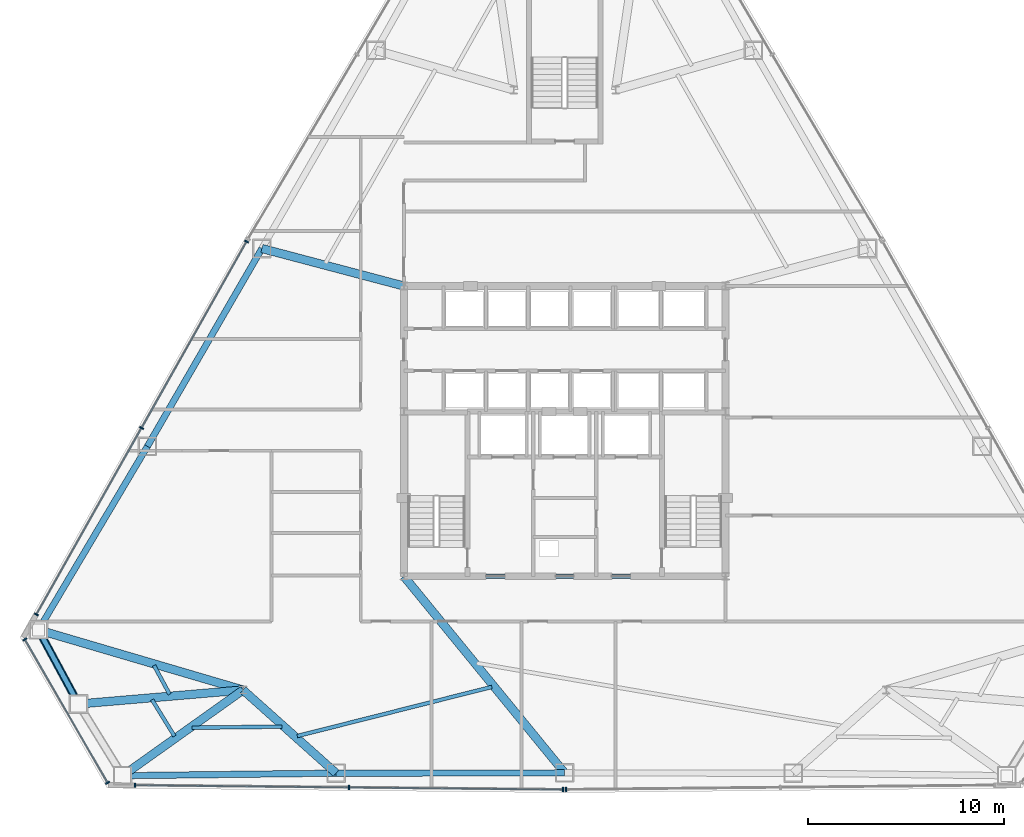
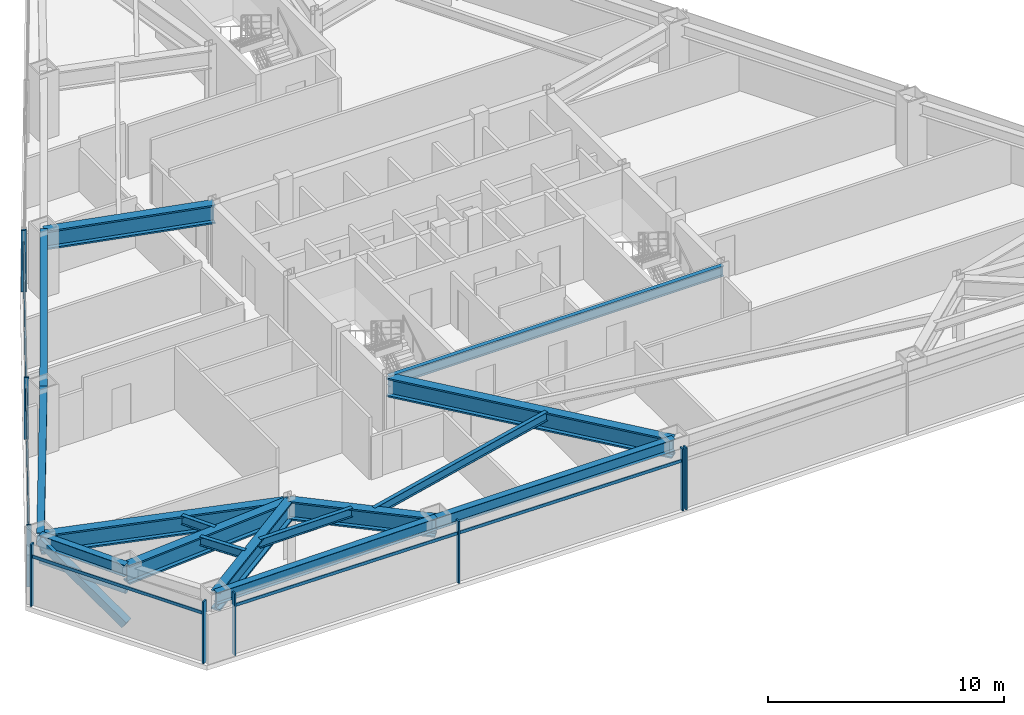
# One storey, part 4 of 13: 16 beams, 14 members, 4 elements without a shape of their own.
"""IFC4 building model written with IfcOpenShell, lengths in metres."""

from ifc_helpers import new_model, si_unit, direction, frame, origin, origin_2d, place, context, subcontext, project, spatial, rectangle, hollow_rectangle, hollow_circle, i_section, extrude, source, transform, mapped, material, layer, layer_set, material_profile, profile_set, type_object, type_shapes, element, aggregate, save


model = new_model("IFC4")

# Units and contexts
model_context = context("Model", 3, precision=1e-05, world=origin(), true_north=direction((0.0, 1.0)))
body_context = subcontext(model_context, "Body", "Model", "MODEL_VIEW")
ifc_project = project(units=[si_unit("LENGTHUNIT", "METRE"), si_unit("AREAUNIT", "SQUARE_METRE"), si_unit("VOLUMEUNIT", "CUBIC_METRE"), si_unit("PLANEANGLEUNIT", "RADIAN"), si_unit("MASSUNIT", "GRAM", prefix="KILO")], contexts=[model_context])

# Site, building, storey
site_placement = place(None, origin())
site = spatial("IfcSite", under=ifc_project, at=site_placement, CompositionType="ELEMENT")
building_placement = place(site_placement, origin())
building = spatial("IfcBuilding", under=site, at=building_placement, Name="Varakhsha Concourse Tower", CompositionType="ELEMENT")
storey_placement = place(building_placement, frame((0.0, 0.0, 116.0)))
storey = spatial("IfcBuildingStorey", under=building, at=storey_placement, Name="L33", CompositionType="ELEMENT", Elevation=116.0)

# Beams
ifc_material_1 = material(Name="Structural Steel ASTM A992 Grade 50", Category="steel")
ifc_material_profile_1 = material_profile(ifc_material_1, i_section(OverallWidth=0.19091796875, OverallDepth=0.45703125, WebThickness=0.009033203125, FlangeThickness=0.013916015625, at=origin_2d()), Name="W18X50")
ifc_profile_set_1 = profile_set([ifc_material_profile_1], Name="Structural Steel ASTM A992 Grade 50")
beam_type_1 = type_object("IfcBeamType", Name="BM-JST-W18X50", PredefinedType="JOIST", material=ifc_profile_set_1)
beam_1_placement = place(storey_placement, frame((19.0625, 11.851806640625, 2.9814453125), z_axis=(0.47547726622, -0.879728008709, 0.0), x_axis=(0.879728008709, 0.47547726622, 0.0)))
element("IfcBeam", 1, at=beam_1_placement, inside=storey, type_object=beam_type_1, Name="BM-TJST-L33-07", PredefinedType="JOIST", context=body_context, shape_type="SweptSolid", body=[
    extrude(i_section(OverallWidth=0.19091796875, OverallDepth=0.45703125, WebThickness=0.009033203125, FlangeThickness=0.013916015625, at=origin_2d()), origin(), (0.0, 0.0, 1.0), 1.669189453125),
])
beam_2_placement = place(storey_placement, frame((18.95947265625, 10.107421875, 2.9814453125), z_axis=(0.524159780264, -0.851619941496, 0.0), x_axis=(0.851619941496, 0.524159780264, 0.0)))
element("IfcBeam", 2, at=beam_2_placement, inside=storey, type_object=beam_type_1, Name="BM-TJST-L33-08", PredefinedType="JOIST", context=body_context, shape_type="SweptSolid", body=[
    extrude(i_section(OverallWidth=0.19091796875, OverallDepth=0.45703125, WebThickness=0.009033203125, FlangeThickness=0.013916015625, at=origin_2d()), origin(), (0.0, 0.0, 1.0), 2.1845703125),
])
beam_3_placement = place(storey_placement, frame((21.0087890625, 8.678955078125, 2.9814453125), z_axis=(0.999929001914, 0.011916003176, 0.0), x_axis=(-0.011916003176, 0.999929001914, 0.0)))
element("IfcBeam", 3, at=beam_3_placement, inside=storey, type_object=beam_type_1, Name="BM-TJST-L33-09", PredefinedType="JOIST", context=body_context, shape_type="SweptSolid", body=[
    extrude(i_section(OverallWidth=0.19091796875, OverallDepth=0.45703125, WebThickness=0.009033203125, FlangeThickness=0.013916015625, at=origin_2d()), origin(), (0.0, 0.0, 1.0), 4.56884765625),
])
beam_4_placement = place(storey_placement, frame((26.36328125, 8.2529296875, 2.9814453125), z_axis=(0.969562984408, 0.244842029206, 0.0), x_axis=(-0.244842029206, 0.969562984408, 0.0)))
element("IfcBeam", 4, at=beam_4_placement, inside=storey, type_object=beam_type_1, Name="BM-TJST-L33-10", PredefinedType="JOIST", context=body_context, shape_type="SweptSolid", body=[
    extrude(i_section(OverallWidth=0.19091796875, OverallDepth=0.45703125, WebThickness=0.009033203125, FlangeThickness=0.013916015625, at=origin_2d()), origin(), (0.0, 0.0, 1.0), 10.233642578125),
])
ifc_material_profile_2 = material_profile(ifc_material_1, i_section(OverallWidth=0.2109375, OverallDepth=0.5390625, WebThickness=0.011962890625, FlangeThickness=0.01904296875, at=origin_2d()), Name="W21X73")
ifc_profile_set_2 = profile_set([ifc_material_profile_2], Name="Structural Steel ASTM A992 Grade 50")
beam_type_2 = type_object("IfcBeamType", Name="BM-RAD-W21X73", PredefinedType="BEAM", material=ifc_profile_set_2)
beam_5_placement = place(storey_placement, frame((31.800048828125, 16.39990234375, 2.9404296875), z_axis=(1.0, 0.0, 0.0), x_axis=(0.0, 1.0, 0.0)))
element("IfcBeam", 5, at=beam_5_placement, inside=storey, type_object=beam_type_2, Name="BM-TCORE-L33-CS", PredefinedType="BEAM", context=body_context, shape_type="SweptSolid", body=[
    extrude(i_section(OverallWidth=0.2109375, OverallDepth=0.5390625, WebThickness=0.011962890625, FlangeThickness=0.01904296875, at=origin_2d()), origin(), (0.0, 0.0, 1.0), 16.39990234375),
])
ifc_material_profile_3 = material_profile(ifc_material_1, i_section(OverallWidth=0.323974609375, OverallDepth=0.611083984375, WebThickness=0.012939453125, FlangeThickness=0.01904296875, at=origin_2d()), Name="W24X104")
ifc_profile_set_3 = profile_set([ifc_material_profile_3], Name="Structural Steel ASTM A992 Grade 50")
beam_type_3 = type_object("IfcBeamType", Name="BM-SPAN-W24X104", PredefinedType="SPANDREL", material=ifc_profile_set_3)
beam_6_placement = place(storey_placement, frame((24.56201171875, 33.113037109375, 2.904541015625), z_axis=(-0.500947098557, -0.865477905234, 0.0), x_axis=(0.865477905234, -0.500947098557, 0.0)))
element("IfcBeam", 6, at=beam_6_placement, inside=storey, type_object=beam_type_3, Name="BM-SPAN-L33-05", PredefinedType="SPANDREL", context=body_context, shape_type="SweptSolid", body=[
    extrude(i_section(OverallWidth=0.323974609375, OverallDepth=0.611083984375, WebThickness=0.012939453125, FlangeThickness=0.01904296875, at=origin_2d()), origin(), (0.0, 0.0, 1.0), 11.65625),
])
beam_7_placement = place(storey_placement, frame((18.722900390625, 23.02490234375, 2.904541015625), z_axis=(-0.510320025009, -0.85998457665, 0.0), x_axis=(0.85998457665, -0.510320025009, 0.0)))
element("IfcBeam", 7, at=beam_7_placement, inside=storey, type_object=beam_type_3, Name="BM-SPAN-L33-06", PredefinedType="SPANDREL", context=body_context, shape_type="SweptSolid", body=[
    extrude(i_section(OverallWidth=0.323974609375, OverallDepth=0.611083984375, WebThickness=0.012939453125, FlangeThickness=0.01904296875, at=origin_2d()), origin(), (0.0, 0.0, 1.0), 10.8837890625),
])
beam_8_placement = place(storey_placement, frame((13.168701171875, 13.6650390625, 2.904541015625), z_axis=(0.475462327105, -0.87973608287, 0.0), x_axis=(0.87973608287, 0.475462327105, 0.0)))
element("IfcBeam", 8, at=beam_8_placement, inside=storey, type_object=beam_type_3, Name="BM-SPAN-L33-07", PredefinedType="SPANDREL", context=body_context, shape_type="SweptSolid", body=[
    extrude(i_section(OverallWidth=0.323974609375, OverallDepth=0.611083984375, WebThickness=0.012939453125, FlangeThickness=0.01904296875, at=origin_2d()), origin(), (0.0, 0.0, 1.0), 4.293701171875),
])
beam_9_placement = place(storey_placement, frame((17.4609375, 6.23095703125, 2.904541015625), z_axis=(0.999928789393, 0.011933823491, 0.0), x_axis=(-0.011933823491, 0.999928789393, 0.0)))
element("IfcBeam", 9, at=beam_9_placement, inside=storey, type_object=beam_type_3, Name="BM-SPAN-L33-09", PredefinedType="SPANDREL", context=body_context, shape_type="SweptSolid", body=[
    extrude(i_section(OverallWidth=0.323974609375, OverallDepth=0.611083984375, WebThickness=0.012939453125, FlangeThickness=0.01904296875, at=origin_2d()), origin(), (0.0, 0.0, 1.0), 10.883544921875),
])
beam_10_placement = place(storey_placement, frame((28.34375, 6.36083984375, 2.904541015625), z_axis=(0.999999383854, 0.001110086447, 0.0), x_axis=(-0.001110086447, 0.999999383854, 0.0)))
element("IfcBeam", 10, at=beam_10_placement, inside=storey, type_object=beam_type_3, Name="BM-SPAN-L33-10", PredefinedType="SPANDREL", context=body_context, shape_type="SweptSolid", body=[
    extrude(i_section(OverallWidth=0.323974609375, OverallDepth=0.611083984375, WebThickness=0.012939453125, FlangeThickness=0.01904296875, at=origin_2d()), origin(), (0.0, 0.0, 1.0), 11.65625),
])
ifc_material_profile_4 = material_profile(ifc_material_1, i_section(OverallWidth=0.427978515625, OverallDepth=0.97509765625, WebThickness=0.050048828125, FlangeThickness=0.0810546875, at=origin_2d()), Name="W36X395")
ifc_profile_set_4 = profile_set([ifc_material_profile_4], Name="Structural Steel ASTM A992 Grade 50")
beam_type_4 = type_object("IfcBeamType", Name="BM-XFER-W36X395", PredefinedType="USERDEFINED", material=ifc_profile_set_4)
beam_11_placement = place(storey_placement, frame((31.800048828125, 31.199951171875, 2.722412109375), z_axis=(-0.966799829341, 0.255534909526, 0.0), x_axis=(-0.255534909526, -0.966799829341, 0.0)))
element("IfcBeam", 11, at=beam_11_placement, inside=storey, type_object=beam_type_4, Name="L33 Radial Floor Girder 05", ObjectType="GIRDER", PredefinedType="USERDEFINED", context=body_context, shape_type="SweptSolid", body=[
    extrude(i_section(OverallWidth=0.427978515625, OverallDepth=0.97509765625, WebThickness=0.050048828125, FlangeThickness=0.0810546875, at=origin_2d()), origin(), (0.0, 0.0, 1.0), 7.486572265625),
])
beam_12_placement = place(storey_placement, frame((23.60009765625, 10.60009765625, 2.722412109375), z_axis=(-0.959443057289, 0.281902500555, 0.0), x_axis=(-0.281902500555, -0.959443057289, 0.0)))
element("IfcBeam", 12, at=beam_12_placement, inside=storey, type_object=beam_type_4, Name="L33 Radial Floor Girder 07", ObjectType="GIRDER", PredefinedType="USERDEFINED", context=body_context, shape_type="SweptSolid", body=[
    extrude(i_section(OverallWidth=0.427978515625, OverallDepth=0.97509765625, WebThickness=0.050048828125, FlangeThickness=0.0810546875, at=origin_2d()), origin(), (0.0, 0.0, 1.0), 10.872314453125),
])
beam_13_placement = place(storey_placement, frame((23.60009765625, 10.60009765625, 2.722412109375), z_axis=(-0.99641435618, -0.084607510296, 0.0), x_axis=(0.084607510296, -0.99641435618, 0.0)))
element("IfcBeam", 13, at=beam_13_placement, inside=storey, type_object=beam_type_4, Name="L33 Radial Floor Girder 08", ObjectType="GIRDER", PredefinedType="USERDEFINED", context=body_context, shape_type="SweptSolid", body=[
    extrude(i_section(OverallWidth=0.427978515625, OverallDepth=0.97509765625, WebThickness=0.050048828125, FlangeThickness=0.0810546875, at=origin_2d()), origin(), (0.0, 0.0, 1.0), 8.420166015625),
])
beam_14_placement = place(storey_placement, frame((23.60009765625, 10.60009765625, 2.722412109375), z_axis=(-0.814734914683, -0.579833613027, 0.0), x_axis=(0.579833613027, -0.814734914683, 0.0)))
element("IfcBeam", 14, at=beam_14_placement, inside=storey, type_object=beam_type_4, Name="L33 Radial Floor Girder 09", ObjectType="GIRDER", PredefinedType="USERDEFINED", context=body_context, shape_type="SweptSolid", body=[
    extrude(i_section(OverallWidth=0.427978515625, OverallDepth=0.97509765625, WebThickness=0.050048828125, FlangeThickness=0.0810546875, at=origin_2d()), origin(), (0.0, 0.0, 1.0), 7.53515625),
])
beam_15_placement = place(storey_placement, frame((23.60009765625, 10.60009765625, 2.722412109375), z_axis=(0.745636627589, -0.666352774135, 0.0), x_axis=(0.666352774135, 0.745636627589, 0.0)))
element("IfcBeam", 15, at=beam_15_placement, inside=storey, type_object=beam_type_4, Name="L33 Radial Floor Girder 10", ObjectType="GIRDER", PredefinedType="USERDEFINED", context=body_context, shape_type="SweptSolid", body=[
    extrude(i_section(OverallWidth=0.427978515625, OverallDepth=0.97509765625, WebThickness=0.050048828125, FlangeThickness=0.0810546875, at=origin_2d()), origin(), (0.0, 0.0, 1.0), 6.36181640625),
])
beam_16_placement = place(storey_placement, frame((31.800048828125, 16.39990234375, 2.722412109375), z_axis=(0.633087917954, -0.774079897776, 0.0), x_axis=(0.774079897776, 0.633087917954, 0.0)))
element("IfcBeam", 16, at=beam_16_placement, inside=storey, type_object=beam_type_4, Name="L33 Radial Floor Girder 11", ObjectType="GIRDER", PredefinedType="USERDEFINED", context=body_context, shape_type="SweptSolid", body=[
    extrude(i_section(OverallWidth=0.427978515625, OverallDepth=0.97509765625, WebThickness=0.050048828125, FlangeThickness=0.0810546875, at=origin_2d()), origin(), (0.0, 0.0, 1.0), 12.952392578125),
])

# Members
ifc_material_2 = material(Name="Structural Steel ASTM A500 Grade C", Category="steel")
ifc_material_profile_5 = material_profile(ifc_material_2, hollow_rectangle(XDim=0.39990234375, YDim=0.39990234375, WallThickness=0.01611328125, at=origin_2d()), Name="HSS 400x400x16")
ifc_profile_set_5 = profile_set([ifc_material_profile_5], Name="Structural Steel ASTM A500 Grade C")
member_type_1 = type_object("IfcMemberType", Name="MB-TUBE-HSS400", PredefinedType="BRACE", material=ifc_profile_set_5)
shared_shape_1 = source(origin(), body_context, "Body", "SweptSolid", [
    extrude(hollow_rectangle(XDim=0.39990234375, YDim=0.39990234375, WallThickness=0.01611328125, at=origin_2d()), origin(), (0.0, 0.0, 1.0), 5.120361328125),
])
type_shapes(member_type_1, [shared_shape_1])
member_1_placement = place(storey_placement, frame((15.210205078125, 9.8876953125, 0.1201171875), z_axis=(-0.398696102531, 0.737697452566, 0.54483381531), x_axis=(-0.87973608287, -0.475462327105, 0.0)))
element("IfcMember", 17, at=member_1_placement, inside=storey, type_object=member_type_1, Name="L33 Wind-Corner Tube Brace B03", PredefinedType="BRACE", context=body_context, shape_type="MappedRepresentation", body=[
    mapped(shared_shape_1, transform((0.0, 0.0, 0.0), scale=1.0)),
])
ifc_material_profile_6 = material_profile(ifc_material_2, hollow_circle(Radius=0.136474609375, WallThickness=0.011962890625, at=origin_2d()), Name="CHS 273x12")
ifc_profile_set_6 = profile_set([ifc_material_profile_6], Name="Structural Steel ASTM A500 Grade C")
member_type_2 = type_object("IfcMemberType", Name="MB-WIND-CHS273", PredefinedType="COLLAR", material=ifc_profile_set_6)
shared_shape_2 = source(origin(), body_context, "Body", "SweptSolid", [
    extrude(hollow_circle(Radius=0.136474609375, WallThickness=0.011962890625, at=origin_2d()), origin(), (0.0, 0.0, 1.0), 4.293701171875),
])
type_shapes(member_type_2, [shared_shape_2])
member_2_placement = place(storey_placement, frame((13.168701171875, 13.6650390625, 1.800048828125), z_axis=(0.475462327105, -0.87973608287, 0.0), x_axis=(0.87973608287, 0.475462327105, 0.0)))
element("IfcMember", 18, at=member_2_placement, inside=storey, type_object=member_type_2, Name="L33 Wind-Corner Collar Tie 2", PredefinedType="COLLAR", context=body_context, shape_type="MappedRepresentation", body=[
    mapped(shared_shape_2, transform((0.0, 0.0, 0.0), scale=1.0)),
])

# Curtain wall, members
ifc_material_3 = material(Name="Anodised Bronze Architectural Aluminium AA 6063-T6", Category="aluminium")
ifc_layer = layer(ifc_material_3, 0.2099609375, Name="CW-SYS-04")
ifc_layer_set = layer_set([ifc_layer], Name="Anodised Bronze Architectural Aluminium AA 6063-T6")
curtain_wall_type = type_object("IfcCurtainWallType", Name="CW-SYS-04", PredefinedType="NOTDEFINED", material=ifc_layer_set)
curtain_wall_1_placement = place(storey_placement, origin())
curtain_wall_1 = element("IfcCurtainWall", 19, at=curtain_wall_1_placement, inside=storey, type_object=curtain_wall_type, Name="L33 Crystal Curtain Wall F3", PredefinedType="NOTDEFINED")
ifc_material_profile_7 = material_profile(ifc_material_3, rectangle(XDim=0.074951171875, YDim=0.219970703125, at=origin_2d()), Name="CWM-220X75")
ifc_profile_set_7 = profile_set([ifc_material_profile_7], Name="Anodised Bronze Architectural Aluminium AA 6063-T6")
member_type_3 = type_object("IfcMemberType", Name="CWM-220X75", PredefinedType="MULLION", material=ifc_profile_set_7)
shared_shape_3 = source(origin(), body_context, "Body", "SweptSolid", [
    extrude(rectangle(XDim=0.074951171875, YDim=0.219970703125, at=origin_2d()), origin(), (0.0, 0.0, 1.0), 3.2099609375),
])
type_shapes(member_type_3, [shared_shape_3])
member_3_placement = place(storey_placement, frame((13.0634765625, 14.45361328125, 0.0), z_axis=(0.0, 0.0, 1.0), x_axis=(0.491137901342, 0.871081834195, 0.0)))
member_3 = element("IfcMember", 20, at=member_3_placement, type_object=member_type_3, Name="CW-L33-F3 Mullion 00", PredefinedType="MULLION", context=body_context, shape_type="MappedRepresentation", body=[
    mapped(shared_shape_3, transform((0.0, 0.0, 0.0), scale=1.0)),
])
member_4_placement = place(storey_placement, frame((18.4248046875, 23.962158203125, 0.0), z_axis=(0.0, 0.0, 1.0), x_axis=(0.491137901342, 0.871081834195, 0.0)))
member_4 = element("IfcMember", 21, at=member_4_placement, type_object=member_type_3, Name="CW-L33-F3 Mullion 01", PredefinedType="MULLION", context=body_context, shape_type="MappedRepresentation", body=[
    mapped(shared_shape_3, transform((0.0, 0.0, 0.0), scale=1.0)),
])
member_5_placement = place(storey_placement, frame((23.785888671875, 33.470703125, 0.0), z_axis=(0.0, 0.0, 1.0), x_axis=(0.491137901342, 0.871081834195, 0.0)))
member_5 = element("IfcMember", 22, at=member_5_placement, type_object=member_type_3, Name="CW-L33-F3 Mullion 02", PredefinedType="MULLION", context=body_context, shape_type="MappedRepresentation", body=[
    mapped(shared_shape_3, transform((0.0, 0.0, 0.0), scale=1.0)),
])

curtain_wall_2_placement = place(storey_placement, origin())
curtain_wall_2 = element("IfcCurtainWall", 23, at=curtain_wall_2_placement, inside=storey, type_object=curtain_wall_type, Name="L33 Chamfer Curtain Wall F4", PredefinedType="NOTDEFINED")
member_6_placement = place(storey_placement, frame((16.6982421875, 5.87060546875, 0.0), z_axis=(0.0, 0.0, 1.0), x_axis=(-0.500004534492, 0.866022785779, 0.0)))
member_6 = element("IfcMember", 24, at=member_6_placement, type_object=member_type_3, Name="CW-L33-F4 Mullion 00", PredefinedType="MULLION", context=body_context, shape_type="MappedRepresentation", body=[
    mapped(shared_shape_3, transform((0.0, 0.0, 0.0), scale=1.0)),
])
member_7_placement = place(storey_placement, frame((12.475341796875, 13.184814453125, 0.0), z_axis=(0.0, 0.0, 1.0), x_axis=(-0.500004534492, 0.866022785779, 0.0)))
member_7 = element("IfcMember", 25, at=member_7_placement, type_object=member_type_3, Name="CW-L33-F4 Mullion 01", PredefinedType="MULLION", context=body_context, shape_type="MappedRepresentation", body=[
    mapped(shared_shape_3, transform((0.0, 0.0, 0.0), scale=1.0)),
])

curtain_wall_3_placement = place(storey_placement, origin())
curtain_wall_3 = element("IfcCurtainWall", 26, at=curtain_wall_3_placement, inside=storey, type_object=curtain_wall_type, Name="L33 Crystal Curtain Wall F5", PredefinedType="NOTDEFINED")
member_8_placement = place(storey_placement, frame((39.921630859375, 5.522705078125, 0.0), z_axis=(0.0, 0.0, 1.0), x_axis=(-0.99994793005, 0.010204763012, 0.0)))
member_8 = element("IfcMember", 27, at=member_8_placement, type_object=member_type_3, Name="CW-L33-F5 Mullion 00", PredefinedType="MULLION", context=body_context, shape_type="MappedRepresentation", body=[
    mapped(shared_shape_3, transform((0.0, 0.0, 0.0), scale=1.0)),
])
member_9_placement = place(storey_placement, frame((29.00634765625, 5.634033203125, 0.0), z_axis=(0.0, 0.0, 1.0), x_axis=(-0.99994793005, 0.010204763012, 0.0)))
member_9 = element("IfcMember", 28, at=member_9_placement, type_object=member_type_3, Name="CW-L33-F5 Mullion 01", PredefinedType="MULLION", context=body_context, shape_type="MappedRepresentation", body=[
    mapped(shared_shape_3, transform((0.0, 0.0, 0.0), scale=1.0)),
])
member_10_placement = place(storey_placement, frame((18.091064453125, 5.74560546875, 0.0), z_axis=(0.0, 0.0, 1.0), x_axis=(-0.99994793005, 0.010204763012, 0.0)))
member_10 = element("IfcMember", 29, at=member_10_placement, type_object=member_type_3, Name="CW-L33-F5 Mullion 02", PredefinedType="MULLION", context=body_context, shape_type="MappedRepresentation", body=[
    mapped(shared_shape_3, transform((0.0, 0.0, 0.0), scale=1.0)),
])

# Curtain wall, member
curtain_wall_4_placement = place(storey_placement, origin())
curtain_wall_4 = element("IfcCurtainWall", 30, at=curtain_wall_4_placement, inside=storey, type_object=curtain_wall_type, Name="L33 Crystal Curtain Wall F6", PredefinedType="NOTDEFINED")
member_11_placement = place(storey_placement, frame((40.078369140625, 5.522705078125, 0.0), z_axis=(0.0, 0.0, 1.0), x_axis=(-0.99994793005, -0.010204763012, 0.0)))
member_11 = element("IfcMember", 31, at=member_11_placement, type_object=member_type_3, Name="CW-L33-F6 Mullion 02", PredefinedType="MULLION", context=body_context, shape_type="MappedRepresentation", body=[
    mapped(shared_shape_3, transform((0.0, 0.0, 0.0), scale=1.0)),
])
aggregate(curtain_wall_4, [member_11])

# Member
ifc_material_profile_8 = material_profile(ifc_material_3, rectangle(XDim=0.06494140625, YDim=0.159912109375, at=origin_2d()), Name="CWT-160X65")
ifc_profile_set_8 = profile_set([ifc_material_profile_8], Name="Anodised Bronze Architectural Aluminium AA 6063-T6")
member_type_4 = type_object("IfcMemberType", Name="CWT-160X65", PredefinedType="USERDEFINED", material=ifc_profile_set_8)
shared_shape_4 = source(origin(), body_context, "Body", "SweptSolid", [
    extrude(rectangle(XDim=0.06494140625, YDim=0.159912109375, at=origin_2d()), origin(), (0.0, 0.0, 1.0), 8.44580078125),
])
member_12_placement = place(storey_placement, frame((16.6982421875, 5.87060546875, 2.56005859375), z_axis=(-0.500003540057, 0.866023359922, 0.0), x_axis=(-0.866023359922, -0.500003540057, 0.0)))
member_12 = element("IfcMember", 32, at=member_12_placement, type_object=member_type_4, Name="CW-L33-F4 Transom 01", ObjectType="TRANSOM", PredefinedType="USERDEFINED", context=body_context, shape_type="MappedRepresentation", body=[
    mapped(shared_shape_4, transform((0.0, 0.0, 0.0), scale=1.0)),
])

aggregate(curtain_wall_2, [member_6, member_7, member_12])

shared_shape_5 = source(origin(), body_context, "Body", "SweptSolid", [
    extrude(rectangle(XDim=0.06494140625, YDim=0.159912109375, at=origin_2d()), origin(), (0.0, 0.0, 1.0), 21.831787109375),
])
member_13_placement = place(storey_placement, frame((39.921630859375, 5.522705078125, 2.56005859375), z_axis=(-0.999947877205, 0.010209939966, 0.0), x_axis=(-0.010209939966, -0.999947877205, 0.0)))
member_13 = element("IfcMember", 33, at=member_13_placement, type_object=member_type_4, Name="CW-L33-F5 Transom 01", ObjectType="TRANSOM", PredefinedType="USERDEFINED", context=body_context, shape_type="MappedRepresentation", body=[
    mapped(shared_shape_5, transform((0.0, 0.0, 0.0), scale=1.0)),
])

aggregate(curtain_wall_3, [member_8, member_9, member_10, member_13])

shared_shape_6 = source(origin(), body_context, "Body", "SweptSolid", [
    extrude(rectangle(XDim=0.06494140625, YDim=0.159912109375, at=origin_2d()), origin(), (0.0, 0.0, 1.0), 21.83154296875),
])
type_shapes(member_type_4, [shared_shape_4, shared_shape_5, shared_shape_6])
member_14_placement = place(storey_placement, frame((13.0634765625, 14.45361328125, 2.56005859375), z_axis=(0.491141285327, 0.871079926211, 0.0), x_axis=(-0.871079926211, 0.491141285327, 0.0)))
member_14 = element("IfcMember", 34, at=member_14_placement, type_object=member_type_4, Name="CW-L33-F3 Transom 01", ObjectType="TRANSOM", PredefinedType="USERDEFINED", context=body_context, shape_type="MappedRepresentation", body=[
    mapped(shared_shape_6, transform((0.0, 0.0, 0.0), scale=1.0)),
])

aggregate(curtain_wall_1, [member_3, member_4, member_5, member_14])

save(model, "model.ifc")
